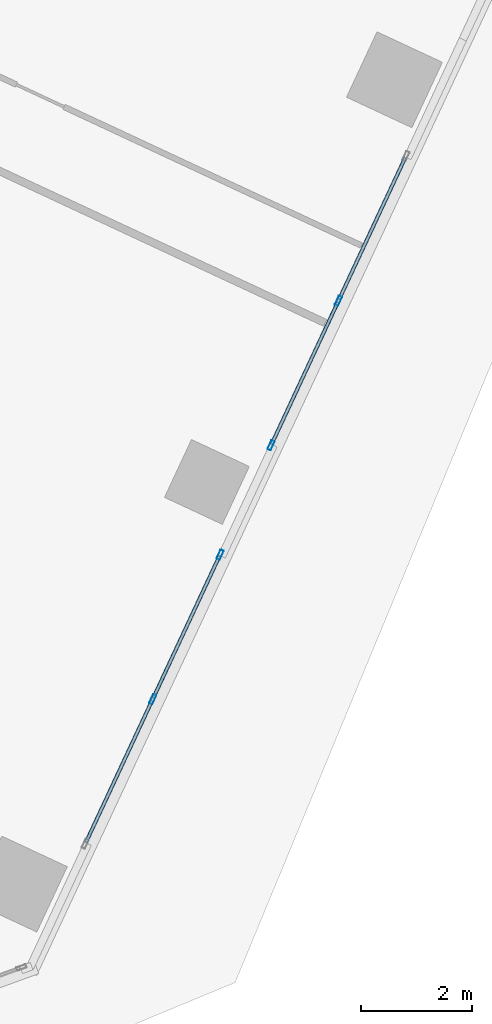
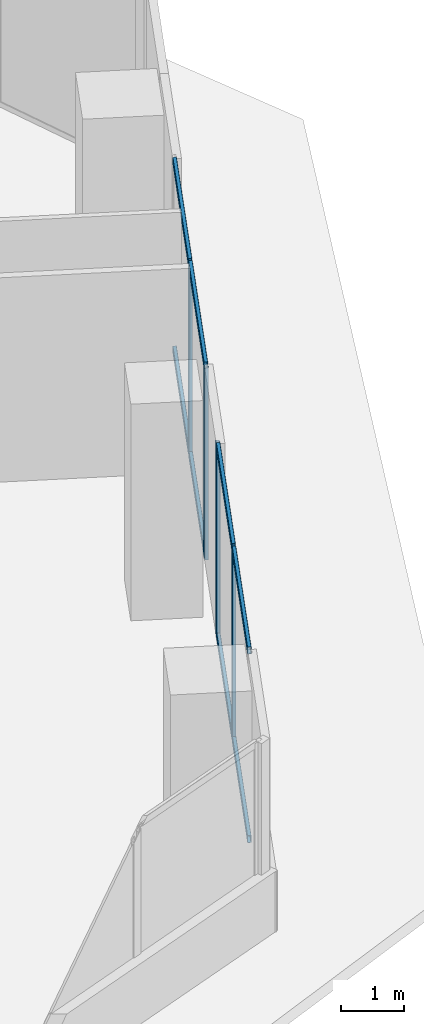
# One storey, part 8 of 23: 12 members, 2 elements without a shape of their own.
"""IFC4 building model written with IfcOpenShell, lengths in metres."""

from ifc_helpers import new_model, si_unit, direction, frame, origin, origin_2d, place, context, subcontext, project, spatial, hollow_rectangle, extrude, source, transform, mapped, material, material_profile, profile_set, type_object, element, aggregate, save


model = new_model("IFC4")

# Units and contexts
model_context = context("Model", 3, precision=1e-05, world=origin(), true_north=direction((0.0, 1.0)))
body_context = subcontext(model_context, "Body", "Model", "MODEL_VIEW")
ifc_project = project(units=[si_unit("LENGTHUNIT", "METRE"), si_unit("AREAUNIT", "SQUARE_METRE"), si_unit("VOLUMEUNIT", "CUBIC_METRE"), si_unit("PLANEANGLEUNIT", "RADIAN"), si_unit("MASSUNIT", "GRAM", prefix="KILO")], contexts=[model_context])

# Site, building, storey
site_placement = place(None, origin())
site = spatial("IfcSite", under=ifc_project, at=site_placement, CompositionType="ELEMENT")
building_placement = place(site_placement, origin())
building = spatial("IfcBuilding", under=site, at=building_placement, Name="Torre Montelarca", CompositionType="ELEMENT")
storey_placement = place(building_placement, frame((0.0, 0.0, 154.0)))
storey = spatial("IfcBuildingStorey", under=building, at=storey_placement, Name="L34", CompositionType="ELEMENT", Elevation=154.0)

# Curtain wall, members
ifc_material_1 = material(Name="Insulated low-E laminated glass", Category="glass")
curtain_wall_type = type_object("IfcCurtainWallType", Name="CW-SYS-Z2", PredefinedType="USERDEFINED", material=ifc_material_1)
curtain_wall_1_placement = place(storey_placement, origin())
curtain_wall_1 = element("IfcCurtainWall", 1, at=curtain_wall_1_placement, inside=storey, type_object=curtain_wall_type, Name="L34 Curtain Wall Run CW-T3-L34-E06-B1", ObjectType="UNITISED GLAZING", PredefinedType="USERDEFINED")
ifc_material_2 = material(Name="Anodised aluminium AA 6063-T6", Category="aluminium")
ifc_material_profile_1 = material_profile(ifc_material_2, hollow_rectangle(XDim=0.06494140625, YDim=0.179931640625, WallThickness=0.00390625, InnerFilletRadius=0.00390625, OuterFilletRadius=0.008056640625, at=origin_2d()), Name="ALU65X180X4", Category="aluminium")
ifc_profile_set_1 = profile_set([ifc_material_profile_1], Name="Anodised aluminium AA 6063-T6")
member_type_1 = type_object("IfcMemberType", Name="CWM-ALU180", PredefinedType="MULLION", material=ifc_profile_set_1)
shared_shape_1 = source(origin(), body_context, "Body", "SweptSolid", [
    extrude(hollow_rectangle(XDim=0.06494140625, YDim=0.179931640625, WallThickness=0.00390625, InnerFilletRadius=0.00390625, OuterFilletRadius=0.008056640625, at=origin_2d()), origin(), (0.0, 0.0, 1.0), 3.719970703125),
])
member_1_placement = place(storey_placement, frame((44.54052734375, 16.884033203125, 0.0), z_axis=(0.0, 0.0, 1.0), x_axis=(-0.906306995899, 0.422619958337, 0.0)))
member_1 = element("IfcMember", 2, at=member_1_placement, type_object=member_type_1, Name="CW mullion 2", PredefinedType="MULLION", context=body_context, shape_type="MappedRepresentation", body=[
    mapped(shared_shape_1, transform((0.0, 0.0, 0.0), scale=1.0)),
])
member_2_placement = place(storey_placement, frame((45.75537109375, 19.489501953125, 0.0), z_axis=(0.0, 0.0, 1.0), x_axis=(-0.906306995899, 0.422619958337, 0.0)))
member_2 = element("IfcMember", 3, at=member_2_placement, type_object=member_type_1, Name="CW mullion 3", PredefinedType="MULLION", context=body_context, shape_type="MappedRepresentation", body=[
    mapped(shared_shape_1, transform((0.0, 0.0, 0.0), scale=1.0)),
])

curtain_wall_2_placement = place(storey_placement, origin())
curtain_wall_2 = element("IfcCurtainWall", 4, at=curtain_wall_2_placement, inside=storey, type_object=curtain_wall_type, Name="L34 Curtain Wall Run CW-T3-L34-E06-B2", ObjectType="UNITISED GLAZING", PredefinedType="USERDEFINED")
member_3_placement = place(storey_placement, frame((46.674560546875, 21.4609375, 0.0), z_axis=(0.0, 0.0, 1.0), x_axis=(-0.906310067368, 0.42261337152, 0.0)))
member_3 = element("IfcMember", 5, at=member_3_placement, type_object=member_type_1, Name="CW mullion 1", PredefinedType="MULLION", context=body_context, shape_type="MappedRepresentation", body=[
    mapped(shared_shape_1, transform((0.0, 0.0, 0.0), scale=1.0)),
])
member_4_placement = place(storey_placement, frame((47.8896484375, 24.06640625, 0.0), z_axis=(0.0, 0.0, 1.0), x_axis=(-0.906310067368, 0.42261337152, 0.0)))
member_4 = element("IfcMember", 6, at=member_4_placement, type_object=member_type_1, Name="CW mullion 2", PredefinedType="MULLION", context=body_context, shape_type="MappedRepresentation", body=[
    mapped(shared_shape_1, transform((0.0, 0.0, 0.0), scale=1.0)),
])

# Member
ifc_material_profile_2 = material_profile(ifc_material_2, hollow_rectangle(XDim=0.06494140625, YDim=0.139892578125, WallThickness=0.00390625, InnerFilletRadius=0.00390625, OuterFilletRadius=0.008056640625, at=origin_2d()), Name="ALU65X140X4", Category="aluminium")
ifc_profile_set_2 = profile_set([ifc_material_profile_2], Name="Anodised aluminium AA 6063-T6")
member_type_2 = type_object("IfcMemberType", Name="CWT-ALU140", PredefinedType="USERDEFINED", material=ifc_profile_set_2)
shared_shape_2 = source(origin(), body_context, "Body", "SweptSolid", [
    extrude(hollow_rectangle(XDim=0.06494140625, YDim=0.139892578125, WallThickness=0.00390625, InnerFilletRadius=0.00390625, OuterFilletRadius=0.008056640625, at=origin_2d()), origin(), (0.0, 0.0, 1.0), 2.809814453125),
])
member_5_placement = place(storey_placement, frame((43.339111328125, 14.307861328125, 0.032470703125), z_axis=(0.422614323506, 0.906309623455, 0.0), x_axis=(-0.906309623455, 0.422614323506, 0.0)))
member_5 = element("IfcMember", 7, at=member_5_placement, type_object=member_type_2, Name="CW transom 1.1", ObjectType="TRANSOM", PredefinedType="USERDEFINED", context=body_context, shape_type="MappedRepresentation", body=[
    mapped(shared_shape_2, transform((0.0, 0.0, 0.0), scale=1.0)),
])

member_6_placement = place(storey_placement, frame((43.339111328125, 14.307861328125, 3.6875), z_axis=(0.422614323506, 0.906309623455, 0.0), x_axis=(-0.906309623455, 0.422614323506, 0.0)))
member_6 = element("IfcMember", 8, at=member_6_placement, type_object=member_type_2, Name="CW transom 1.2", ObjectType="TRANSOM", PredefinedType="USERDEFINED", context=body_context, shape_type="MappedRepresentation", body=[
    mapped(shared_shape_2, transform((0.0, 0.0, 0.0), scale=1.0)),
])

member_7_placement = place(storey_placement, frame((47.9033203125, 24.095947265625, 0.032470703125), z_axis=(0.422614323506, 0.906309623455, 0.0), x_axis=(-0.906309623455, 0.422614323506, 0.0)))
member_7 = element("IfcMember", 9, at=member_7_placement, type_object=member_type_2, Name="CW transom 2.1", ObjectType="TRANSOM", PredefinedType="USERDEFINED", context=body_context, shape_type="MappedRepresentation", body=[
    mapped(shared_shape_2, transform((0.0, 0.0, 0.0), scale=1.0)),
])

member_8_placement = place(storey_placement, frame((47.9033203125, 24.095947265625, 3.6875), z_axis=(0.422614323506, 0.906309623455, 0.0), x_axis=(-0.906309623455, 0.422614323506, 0.0)))
member_8 = element("IfcMember", 10, at=member_8_placement, type_object=member_type_2, Name="CW transom 2.2", ObjectType="TRANSOM", PredefinedType="USERDEFINED", context=body_context, shape_type="MappedRepresentation", body=[
    mapped(shared_shape_2, transform((0.0, 0.0, 0.0), scale=1.0)),
])

shared_shape_3 = source(origin(), body_context, "Body", "SweptSolid", [
    extrude(hollow_rectangle(XDim=0.06494140625, YDim=0.139892578125, WallThickness=0.00390625, InnerFilletRadius=0.00390625, OuterFilletRadius=0.008056640625, at=origin_2d()), origin(), (0.0, 0.0, 1.0), 2.81005859375),
])
member_9_placement = place(storey_placement, frame((44.55419921875, 16.913330078125, 0.032470703125), z_axis=(0.422581046751, 0.906325139741, 0.0), x_axis=(-0.906325139741, 0.422581046751, 0.0)))
member_9 = element("IfcMember", 11, at=member_9_placement, type_object=member_type_2, Name="CW transom 2.1", ObjectType="TRANSOM", PredefinedType="USERDEFINED", context=body_context, shape_type="MappedRepresentation", body=[
    mapped(shared_shape_3, transform((0.0, 0.0, 0.0), scale=1.0)),
])

member_10_placement = place(storey_placement, frame((44.55419921875, 16.913330078125, 3.6875), z_axis=(0.422581046751, 0.906325139741, 0.0), x_axis=(-0.906325139741, 0.422581046751, 0.0)))
member_10 = element("IfcMember", 12, at=member_10_placement, type_object=member_type_2, Name="CW transom 2.2", ObjectType="TRANSOM", PredefinedType="USERDEFINED", context=body_context, shape_type="MappedRepresentation", body=[
    mapped(shared_shape_3, transform((0.0, 0.0, 0.0), scale=1.0)),
])

aggregate(curtain_wall_1, [member_1, member_2, member_5, member_6, member_9, member_10])

member_11_placement = place(storey_placement, frame((46.6884765625, 21.490234375, 0.032470703125), z_axis=(0.422581046751, 0.906325139741, 0.0), x_axis=(-0.906325139741, 0.422581046751, 0.0)))
member_11 = element("IfcMember", 13, at=member_11_placement, type_object=member_type_2, Name="CW transom 1.1", ObjectType="TRANSOM", PredefinedType="USERDEFINED", context=body_context, shape_type="MappedRepresentation", body=[
    mapped(shared_shape_3, transform((0.0, 0.0, 0.0), scale=1.0)),
])

member_12_placement = place(storey_placement, frame((46.6884765625, 21.490234375, 3.6875), z_axis=(0.422581046751, 0.906325139741, 0.0), x_axis=(-0.906325139741, 0.422581046751, 0.0)))
member_12 = element("IfcMember", 14, at=member_12_placement, type_object=member_type_2, Name="CW transom 1.2", ObjectType="TRANSOM", PredefinedType="USERDEFINED", context=body_context, shape_type="MappedRepresentation", body=[
    mapped(shared_shape_3, transform((0.0, 0.0, 0.0), scale=1.0)),
])

aggregate(curtain_wall_2, [member_3, member_4, member_11, member_12, member_7, member_8])

save(model, "model.ifc")
